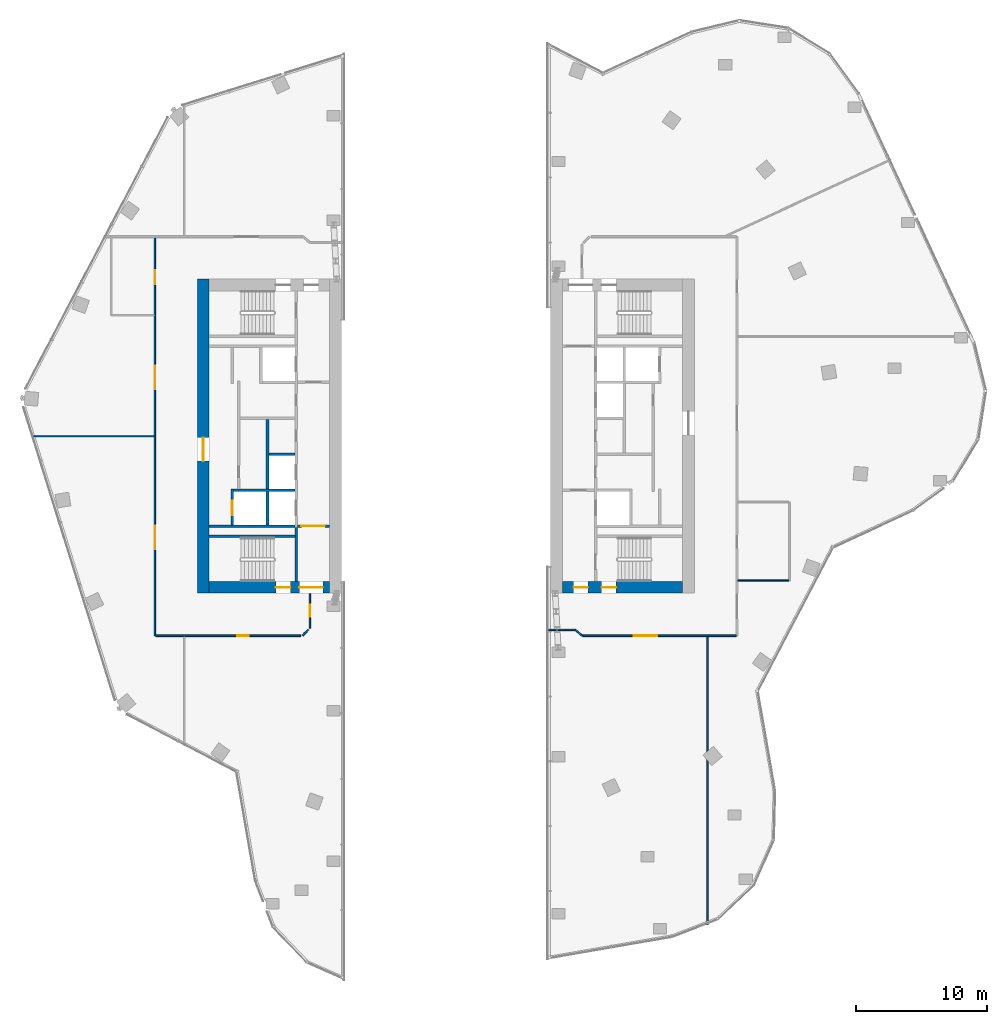
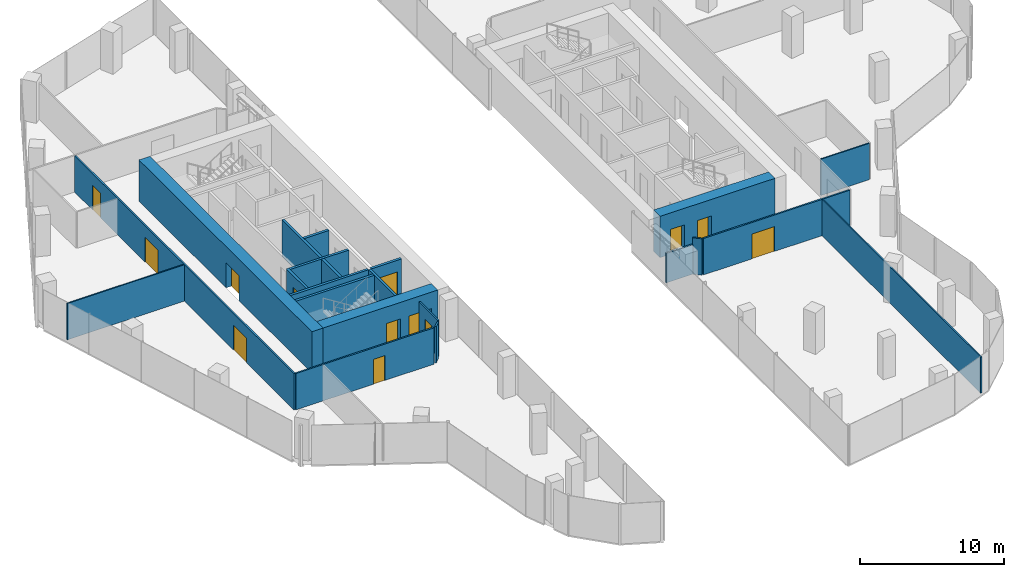
# One storey, part 18 of 23: 22 walls, 13 doors, 13 openings.
"""IFC4 building model written with IfcOpenShell, lengths in metres."""

from ifc_helpers import new_model, si_unit, direction, frame, frame_2d, origin, place, context, subcontext, project, spatial, rectangle, extrude, material, layer, layer_set, type_object, element, fill, save


model = new_model("IFC4")

# Units and contexts
model_context = context("Model", 3, precision=1e-05, world=origin(), true_north=direction((0.0, 1.0)))
body_context = subcontext(model_context, "Body", "Model", "MODEL_VIEW")
ifc_project = project(units=[si_unit("LENGTHUNIT", "METRE"), si_unit("AREAUNIT", "SQUARE_METRE"), si_unit("VOLUMEUNIT", "CUBIC_METRE"), si_unit("PLANEANGLEUNIT", "RADIAN"), si_unit("MASSUNIT", "GRAM", prefix="KILO")], contexts=[model_context])

# Site, building, storey
site_placement = place(None, origin())
site = spatial("IfcSite", under=ifc_project, at=site_placement, CompositionType="ELEMENT")
building_placement = place(site_placement, origin())
building = spatial("IfcBuilding", under=site, at=building_placement, Name="Orlundy Tower", CompositionType="ELEMENT")
storey_placement = place(building_placement, frame((0.0, 0.0, 264.0)))
storey = spatial("IfcBuildingStorey", under=building, at=storey_placement, Name="L70", CompositionType="ELEMENT", Elevation=264.0)

# Wall, openings, doors
ifc_material_1 = material(Name="Concrete C60/75", Category="concrete")
ifc_layer_1 = layer(ifc_material_1, 0.89990234375)
ifc_layer_set_1 = layer_set([ifc_layer_1], Name="CORE WALL 900 C60/75")
wall_type_1 = type_object("IfcWallType", Name="CORE WALL 900 C60/75", PredefinedType="SHEAR", material=ifc_layer_set_1)
wall_1_placement = place(storey_placement, frame((-18.10009765625, -11.550048828125, 0.0), z_axis=(0.0, 0.0, 1.0), x_axis=(1.0, 0.0, 0.0)))
wall_1 = element("IfcWall", 1, at=wall_1_placement, inside=storey, type_object=wall_type_1, Name="Core wall W-S L70", PredefinedType="SHEAR", context=body_context, shape_type="SweptSolid", body=[
    extrude(rectangle(XDim=9.2001953125, YDim=0.89990234375, at=frame_2d((4.60009765625, 0.0))), origin(), (0.0, 0.0, 1.0), 3.5),
])
opening_1_placement = place(wall_1_placement, frame((6.89990234375, 0.0, 0.0)))
opening_1 = element("IfcOpeningElement", 2, at=opening_1_placement, cuts=wall_1, Name="Opening 52012", PredefinedType="OPENING", context=body_context, shape_type="SweptSolid", body=[
    extrude(rectangle(XDim=1.800048828125, YDim=2.10009765625, at=frame_2d((0.89990234375, 1.050048828125))), frame((0.0, 0.4599609375, 0.0), z_axis=(0.0, -1.0, 0.0), x_axis=(1.0, 0.0, 0.0)), (0.0, 0.0, 1.0), 0.919921875),
])
opening_2_placement = place(wall_1_placement, frame((5.10009765625, 0.0, 0.0)))
opening_2 = element("IfcOpeningElement", 3, at=opening_2_placement, cuts=wall_1, Name="Opening 52014", PredefinedType="OPENING", context=body_context, shape_type="SweptSolid", body=[
    extrude(rectangle(XDim=1.10009765625, YDim=2.10009765625, at=frame_2d((0.550048828125, 1.050048828125))), frame((0.0, 0.4599609375, 0.0), z_axis=(0.0, -1.0, 0.0), x_axis=(1.0, 0.0, 0.0)), (0.0, 0.0, 1.0), 0.919921875),
])
ifc_material_2 = material(Name="Timber door set", Category="wood")
door_type_1 = type_object("IfcDoorType", Name="Lobby Door 1800x2100", OperationType="DOUBLE_DOOR_DOUBLE_SWING", PredefinedType="DOOR", material=ifc_material_2)
door_1_placement = place(opening_1_placement, origin())
door_1 = element("IfcDoor", 4, at=door_1_placement, inside=storey, type_object=door_type_1, Name="Passage door 52012", OperationType="SINGLE_SWING_RIGHT", OverallHeight=2.10009765625, OverallWidth=1.800048828125, PredefinedType="DOOR", context=body_context, shape_type="SweptSolid", body=[
    extrude(rectangle(XDim=1.800048828125, YDim=2.10009765625, at=frame_2d((0.89990234375, 1.050048828125))), frame((0.0, 0.02490234375, 0.0), z_axis=(0.0, -1.0, 0.0), x_axis=(1.0, 0.0, 0.0)), (0.0, 0.0, 1.0), 0.050048828125),
])
fill(opening_1, door_1)
ifc_material_3 = material(Name="Steel door set", Category="steel")
door_type_2 = type_object("IfcDoorType", Name="Stair Door 1100x2100", OperationType="SINGLE_SWING_LEFT", PredefinedType="DOOR", material=ifc_material_3)
door_2_placement = place(opening_2_placement, origin())
door_2 = element("IfcDoor", 5, at=door_2_placement, inside=storey, type_object=door_type_2, Name="Stair door 52014", OperationType="SINGLE_SWING_RIGHT", OverallHeight=2.10009765625, OverallWidth=1.10009765625, PredefinedType="DOOR", context=body_context, shape_type="SweptSolid", body=[
    extrude(rectangle(XDim=1.10009765625, YDim=2.10009765625, at=frame_2d((0.550048828125, 1.050048828125))), frame((0.0, 0.02490234375, 0.0), z_axis=(0.0, -1.0, 0.0), x_axis=(1.0, 0.0, 0.0)), (0.0, 0.0, 1.0), 0.050048828125),
])
fill(opening_2, door_2)

# Wall, opening, door
wall_2_placement = place(storey_placement, frame((-18.550048828125, -12.0, 0.0), z_axis=(0.0, 0.0, 1.0), x_axis=(0.0, 1.0, 0.0)))
wall_2 = element("IfcWall", 6, at=wall_2_placement, inside=storey, type_object=wall_type_1, Name="Core wall W-W L70", PredefinedType="SHEAR", context=body_context, shape_type="SweptSolid", body=[
    extrude(rectangle(XDim=24.0, YDim=0.89990234375, at=frame_2d((12.0, 0.0))), origin(), (0.0, 0.0, 1.0), 3.5),
])
opening_3_placement = place(wall_2_placement, frame((10.10009765625, 0.0, 0.0)))
opening_3 = element("IfcOpeningElement", 7, at=opening_3_placement, cuts=wall_2, Name="Opening 52008", PredefinedType="OPENING", context=body_context, shape_type="SweptSolid", body=[
    extrude(rectangle(XDim=1.800048828125, YDim=2.10009765625, at=frame_2d((0.89990234375, 1.050048828125))), frame((0.0, 0.4599609375, 0.0), z_axis=(0.0, -1.0, 0.0), x_axis=(1.0, 0.0, 0.0)), (0.0, 0.0, 1.0), 0.919921875),
])
door_3_placement = place(opening_3_placement, origin())
door_3 = element("IfcDoor", 8, at=door_3_placement, inside=storey, type_object=door_type_1, Name="Lift lobby door 52008", OperationType="SINGLE_SWING_LEFT", OverallHeight=2.10009765625, OverallWidth=1.800048828125, PredefinedType="DOOR", context=body_context, shape_type="SweptSolid", body=[
    extrude(rectangle(XDim=1.800048828125, YDim=2.10009765625, at=frame_2d((0.89990234375, 1.050048828125))), frame((0.0, 0.02490234375, 0.0), z_axis=(0.0, -1.0, 0.0), x_axis=(1.0, 0.0, 0.0)), (0.0, 0.0, 1.0), 0.050048828125),
])
fill(opening_3, door_3)

# Wall, openings, doors
wall_3_placement = place(storey_placement, frame((8.89990234375, -11.550048828125, 0.0), z_axis=(0.0, 0.0, 1.0), x_axis=(1.0, 0.0, 0.0)))
wall_3 = element("IfcWall", 9, at=wall_3_placement, inside=storey, type_object=wall_type_1, Name="Core wall E-S L70", PredefinedType="SHEAR", context=body_context, shape_type="SweptSolid", body=[
    extrude(rectangle(XDim=9.2001953125, YDim=0.89990234375, at=frame_2d((4.60009765625, 0.0))), origin(), (0.0, 0.0, 1.0), 3.5),
])
opening_4_placement = place(wall_3_placement, frame((0.85009765625, 0.0, 0.0)))
opening_4 = element("IfcOpeningElement", 10, at=opening_4_placement, cuts=wall_3, Name="Opening 52058", PredefinedType="OPENING", context=body_context, shape_type="SweptSolid", body=[
    extrude(rectangle(XDim=1.10009765625, YDim=2.10009765625, at=frame_2d((0.550048828125, 1.050048828125))), frame((0.0, 0.4599609375, 0.0), z_axis=(0.0, -1.0, 0.0), x_axis=(1.0, 0.0, 0.0)), (0.0, 0.0, 1.0), 0.919921875),
])
opening_5_placement = place(wall_3_placement, frame((3.0, 0.0, 0.0)))
opening_5 = element("IfcOpeningElement", 11, at=opening_5_placement, cuts=wall_3, Name="Opening 52062", PredefinedType="OPENING", context=body_context, shape_type="SweptSolid", body=[
    extrude(rectangle(XDim=1.10009765625, YDim=2.10009765625, at=frame_2d((0.550048828125, 1.050048828125))), frame((0.0, 0.4599609375, 0.0), z_axis=(0.0, -1.0, 0.0), x_axis=(1.0, 0.0, 0.0)), (0.0, 0.0, 1.0), 0.919921875),
])
ifc_material_4 = material(Name="Steel door set", Category="steel")
door_type_3 = type_object("IfcDoorType", Name="Fire-fighting Lobby Door 1100x2100", OperationType="SINGLE_SWING_LEFT", PredefinedType="DOOR", material=ifc_material_4)
door_4_placement = place(opening_4_placement, origin())
door_4 = element("IfcDoor", 12, at=door_4_placement, inside=storey, type_object=door_type_3, Name="Fire-fighting lobby door 52058", OperationType="SINGLE_SWING_LEFT", OverallHeight=2.10009765625, OverallWidth=1.10009765625, PredefinedType="DOOR", context=body_context, shape_type="SweptSolid", body=[
    extrude(rectangle(XDim=1.10009765625, YDim=2.10009765625, at=frame_2d((0.550048828125, 1.050048828125))), frame((0.0, 0.02490234375, 0.0), z_axis=(0.0, -1.0, 0.0), x_axis=(1.0, 0.0, 0.0)), (0.0, 0.0, 1.0), 0.050048828125),
])
fill(opening_4, door_4)
door_5_placement = place(opening_5_placement, origin())
door_5 = element("IfcDoor", 13, at=door_5_placement, inside=storey, type_object=door_type_2, Name="Stair door 52062", OperationType="SINGLE_SWING_LEFT", OverallHeight=2.10009765625, OverallWidth=1.10009765625, PredefinedType="DOOR", context=body_context, shape_type="SweptSolid", body=[
    extrude(rectangle(XDim=1.10009765625, YDim=2.10009765625, at=frame_2d((0.550048828125, 1.050048828125))), frame((0.0, 0.02490234375, 0.0), z_axis=(0.0, -1.0, 0.0), x_axis=(1.0, 0.0, 0.0)), (0.0, 0.0, 1.0), 0.050048828125),
])
fill(opening_5, door_5)

# Walls
ifc_material_5 = material(Name="Gypsum board partition")
ifc_layer_2 = layer(ifc_material_5, 0.10009765625)
ifc_layer_set_2 = layer_set([ifc_layer_2], Name="Floor partition 100")
wall_type_2 = type_object("IfcWallType", Name="Floor partition 100", PredefinedType="PARTITIONING", material=ifc_layer_set_2)
wall_4_placement = place(storey_placement, frame((22.31396484375, -11.030029296875, 0.0), z_axis=(0.0, 0.0, 1.0), x_axis=(1.0, 0.0, 0.0)))
element("IfcWall", 14, at=wall_4_placement, inside=storey, type_object=wall_type_2, Name="wall-int-L70-004", PredefinedType="PARTITIONING", context=body_context, shape_type="SweptSolid", body=[
    extrude(rectangle(XDim=3.885009765625, YDim=0.10009765625, at=frame_2d((1.9423828125, 0.0))), origin(), (0.0, 0.0, 1.0), 3.080078125),
])
wall_5_placement = place(storey_placement, frame((-31.68994140625, 0.0, 0.0), z_axis=(0.0, 0.0, 1.0), x_axis=(1.0, 0.0, 0.0)))
element("IfcWall", 15, at=wall_5_placement, inside=storey, type_object=wall_type_2, Name="wall-int-L70-006", PredefinedType="PARTITIONING", context=body_context, shape_type="SweptSolid", body=[
    extrude(rectangle(XDim=9.3779296875, YDim=0.10009765625, at=frame_2d((4.68896484375, 0.0))), origin(), (0.0, 0.0, 1.0), 3.080078125),
])
wall_6_placement = place(storey_placement, frame((20.0, -37.323974609375, 0.0), z_axis=(0.0, 0.0, 1.0), x_axis=(0.0, 1.0, 0.0)))
element("IfcWall", 16, at=wall_6_placement, inside=storey, type_object=wall_type_2, Name="wall-int-L70-017", PredefinedType="PARTITIONING", context=body_context, shape_type="SweptSolid", body=[
    extrude(rectangle(XDim=22.011962890625, YDim=0.10009765625, at=frame_2d((11.005859375, 0.0))), origin(), (0.0, 0.0, 1.0), 3.080078125),
])

# Wall, opening, door
ifc_material_6 = material(Name="Gypsum board partition, double layer")
ifc_layer_3 = layer(ifc_material_6, 0.125)
ifc_layer_set_3 = layer_set([ifc_layer_3], Name="Floor partition 125")
wall_type_3 = type_object("IfcWallType", Name="Floor partition 125", PredefinedType="PARTITIONING", material=ifc_layer_set_3)
wall_7_placement = place(storey_placement, frame((-11.10595703125, -15.25, 0.0), z_axis=(0.0, 0.0, 1.0), x_axis=(-1.0, 0.0, 0.0)))
wall_7 = element("IfcWall", 17, at=wall_7_placement, inside=storey, type_object=wall_type_3, Name="wall-int-L70-001", PredefinedType="PARTITIONING", context=body_context, shape_type="SweptSolid", body=[
    extrude(rectangle(XDim=11.08203125, YDim=0.125, at=frame_2d((5.541015625, 0.0))), origin(), (0.0, 0.0, 1.0), 3.080078125),
])
opening_6_placement = place(wall_7_placement, frame((3.951904296875, 0.0, 0.0)))
opening_6 = element("IfcOpeningElement", 18, at=opening_6_placement, cuts=wall_7, Name="Opening 52101", PredefinedType="OPENING", context=body_context, shape_type="SweptSolid", body=[
    extrude(rectangle(XDim=0.89990234375, YDim=2.10009765625, at=frame_2d((0.449951171875, 1.050048828125))), frame((0.0, 0.072509765625, 0.0), z_axis=(0.0, -1.0, 0.0), x_axis=(1.0, 0.0, 0.0)), (0.0, 0.0, 1.0), 0.14501953125),
])
ifc_material_7 = material(Name="Timber door leaf", Category="wood")
door_type_4 = type_object("IfcDoorType", Name="Floor door single 900 FD30S", OperationType="NOTDEFINED", PredefinedType="DOOR", material=ifc_material_7)
door_6_placement = place(opening_6_placement, origin())
door_6 = element("IfcDoor", 19, at=door_6_placement, inside=storey, type_object=door_type_4, Name="Door 52101", OperationType="SINGLE_SWING_LEFT", OverallHeight=2.10009765625, OverallWidth=0.89990234375, PredefinedType="DOOR", context=body_context, shape_type="SweptSolid", body=[
    extrude(rectangle(XDim=0.89990234375, YDim=2.10009765625, at=frame_2d((0.449951171875, 1.050048828125))), frame((0.0, 0.02490234375, 0.0), z_axis=(0.0, -1.0, 0.0), x_axis=(1.0, 0.0, 0.0)), (0.0, 0.0, 1.0), 0.050048828125),
])
fill(opening_6, door_6)

wall_8_placement = place(storey_placement, frame((22.18896484375, -15.25, 0.0), z_axis=(0.0, 0.0, 1.0), x_axis=(-1.0, 0.0, 0.0)))
wall_8 = element("IfcWall", 20, at=wall_8_placement, inside=storey, type_object=wall_type_3, Name="wall-int-L70-002", PredefinedType="PARTITIONING", context=body_context, shape_type="SweptSolid", body=[
    extrude(rectangle(XDim=11.72607421875, YDim=0.125, at=frame_2d((5.863037109375, 0.0))), origin(), (0.0, 0.0, 1.0), 3.080078125),
])
opening_7_placement = place(wall_8_placement, frame((6.03857421875, 0.0, 0.0)))
opening_7 = element("IfcOpeningElement", 21, at=opening_7_placement, cuts=wall_8, Name="Opening 52103", PredefinedType="OPENING", context=body_context, shape_type="SweptSolid", body=[
    extrude(rectangle(XDim=1.800048828125, YDim=2.10009765625, at=frame_2d((0.89990234375, 1.050048828125))), frame((0.0, 0.072509765625, 0.0), z_axis=(0.0, -1.0, 0.0), x_axis=(1.0, 0.0, 0.0)), (0.0, 0.0, 1.0), 0.14501953125),
])
ifc_material_8 = material(Name="Timber door leaf", Category="wood")
door_type_5 = type_object("IfcDoorType", Name="Floor door double 1800 FD30S", OperationType="NOTDEFINED", PredefinedType="DOOR", material=ifc_material_8)
door_7_placement = place(opening_7_placement, origin())
door_7 = element("IfcDoor", 22, at=door_7_placement, inside=storey, type_object=door_type_5, Name="Door 52103", OperationType="DOUBLE_DOOR_SINGLE_SWING", OverallHeight=2.10009765625, OverallWidth=1.800048828125, PredefinedType="DOOR", context=body_context, shape_type="SweptSolid", body=[
    extrude(rectangle(XDim=1.800048828125, YDim=2.10009765625, at=frame_2d((0.89990234375, 1.050048828125))), frame((0.0, 0.02490234375, 0.0), z_axis=(0.0, -1.0, 0.0), x_axis=(1.0, 0.0, 0.0)), (0.0, 0.0, 1.0), 0.050048828125),
])
fill(opening_7, door_7)

# Walls
wall_9_placement = place(storey_placement, frame((-10.949951171875, -15.22900390625, 0.0), z_axis=(0.0, 0.0, 1.0), x_axis=(0.698110320765, 0.715990209459, 0.0)))
element("IfcWall", 23, at=wall_9_placement, inside=storey, type_object=wall_type_3, Name="wall-int-L70-013", PredefinedType="PARTITIONING", context=body_context, shape_type="SweptSolid", body=[
    extrude(rectangle(XDim=0.614501953125, YDim=0.125, at=frame_2d((0.30712890625, 0.0))), origin(), (0.0, 0.0, 1.0), 3.080078125),
])
wall_10_placement = place(storey_placement, frame((10.39990234375, -15.25, 0.0), z_axis=(0.0, 0.0, 1.0), x_axis=(-0.751218826875, 0.660053235845, 0.0)))
element("IfcWall", 24, at=wall_10_placement, inside=storey, type_object=wall_type_3, Name="wall-int-L70-018", PredefinedType="PARTITIONING", context=body_context, shape_type="SweptSolid", body=[
    extrude(rectangle(XDim=0.68017578125, YDim=0.125, at=frame_2d((0.340087890625, 0.0))), origin(), (0.0, 0.0, 1.0), 3.080078125),
])

# Wall, opening, door
wall_11_placement = place(storey_placement, frame((-10.39892578125, -12.050048828125, 0.0), z_axis=(0.0, 0.0, 1.0), x_axis=(0.0, -1.0, 0.0)))
wall_11 = element("IfcWall", 25, at=wall_11_placement, inside=storey, type_object=wall_type_3, Name="wall-int-L70-020", PredefinedType="PARTITIONING", context=body_context, shape_type="SweptSolid", body=[
    extrude(rectangle(XDim=2.620849609375, YDim=0.125, at=frame_2d((1.310546875, 0.0))), origin(), (0.0, 0.0, 1.0), 3.080078125),
])
opening_8_placement = place(wall_11_placement, frame((0.85009765625, 0.0, 0.0)))
opening_8 = element("IfcOpeningElement", 26, at=opening_8_placement, cuts=wall_11, Name="Opening 52102", PredefinedType="OPENING", context=body_context, shape_type="SweptSolid", body=[
    extrude(rectangle(XDim=0.89990234375, YDim=2.10009765625, at=frame_2d((0.449951171875, 1.050048828125))), frame((0.0, 0.072509765625, 0.0), z_axis=(0.0, -1.0, 0.0), x_axis=(1.0, 0.0, 0.0)), (0.0, 0.0, 1.0), 0.14501953125),
])
door_8_placement = place(opening_8_placement, origin())
door_8 = element("IfcDoor", 27, at=door_8_placement, inside=storey, type_object=door_type_4, Name="Door 52102", OperationType="SINGLE_SWING_LEFT", OverallHeight=2.10009765625, OverallWidth=0.89990234375, PredefinedType="DOOR", context=body_context, shape_type="SweptSolid", body=[
    extrude(rectangle(XDim=0.89990234375, YDim=2.10009765625, at=frame_2d((0.449951171875, 1.050048828125))), frame((0.0, 0.02490234375, 0.0), z_axis=(0.0, -1.0, 0.0), x_axis=(1.0, 0.0, 0.0)), (0.0, 0.0, 1.0), 0.050048828125),
])
fill(opening_8, door_8)

# Wall, openings, doors
wall_12_placement = place(storey_placement, frame((-22.25, -15.25, 0.0), z_axis=(0.0, 0.0, 1.0), x_axis=(0.0, 1.0, 0.0)))
wall_12 = element("IfcWall", 28, at=wall_12_placement, inside=storey, type_object=wall_type_3, Name="wall-int-L70-024", PredefinedType="PARTITIONING", context=body_context, shape_type="SweptSolid", body=[
    extrude(rectangle(XDim=30.43701171875, YDim=0.125, at=frame_2d((15.218505859375, 0.0))), origin(), (0.0, 0.0, 1.0), 3.080078125),
])
opening_9_placement = place(wall_12_placement, frame((6.60009765625, 0.0, 0.0)))
opening_9 = element("IfcOpeningElement", 29, at=opening_9_placement, cuts=wall_12, Name="Opening 52100", PredefinedType="OPENING", context=body_context, shape_type="SweptSolid", body=[
    extrude(rectangle(XDim=1.800048828125, YDim=2.10009765625, at=frame_2d((0.89990234375, 1.050048828125))), frame((0.0, 0.072509765625, 0.0), z_axis=(0.0, -1.0, 0.0), x_axis=(1.0, 0.0, 0.0)), (0.0, 0.0, 1.0), 0.14501953125),
])
opening_10_placement = place(wall_12_placement, frame((18.85009765625, 0.0, 0.0)))
opening_10 = element("IfcOpeningElement", 30, at=opening_10_placement, cuts=wall_12, Name="Opening 52109", PredefinedType="OPENING", context=body_context, shape_type="SweptSolid", body=[
    extrude(rectangle(XDim=1.800048828125, YDim=2.10009765625, at=frame_2d((0.89990234375, 1.050048828125))), frame((0.0, 0.072509765625, 0.0), z_axis=(0.0, -1.0, 0.0), x_axis=(1.0, 0.0, 0.0)), (0.0, 0.0, 1.0), 0.14501953125),
])
opening_11_placement = place(wall_12_placement, frame((26.84912109375, 0.0, 0.0)))
opening_11 = element("IfcOpeningElement", 31, at=opening_11_placement, cuts=wall_12, Name="Opening 52111", PredefinedType="OPENING", context=body_context, shape_type="SweptSolid", body=[
    extrude(rectangle(XDim=1.10009765625, YDim=2.10009765625, at=frame_2d((0.550048828125, 1.050048828125))), frame((0.0, 0.072509765625, 0.0), z_axis=(0.0, -1.0, 0.0), x_axis=(1.0, 0.0, 0.0)), (0.0, 0.0, 1.0), 0.14501953125),
])
door_9_placement = place(opening_9_placement, origin())
door_9 = element("IfcDoor", 32, at=door_9_placement, inside=storey, type_object=door_type_5, Name="Door 52100", OperationType="DOUBLE_DOOR_SINGLE_SWING", OverallHeight=2.10009765625, OverallWidth=1.800048828125, PredefinedType="DOOR", context=body_context, shape_type="SweptSolid", body=[
    extrude(rectangle(XDim=1.800048828125, YDim=2.10009765625, at=frame_2d((0.89990234375, 1.050048828125))), frame((0.0, 0.02490234375, 0.0), z_axis=(0.0, -1.0, 0.0), x_axis=(1.0, 0.0, 0.0)), (0.0, 0.0, 1.0), 0.050048828125),
])
fill(opening_9, door_9)
door_10_placement = place(opening_10_placement, origin())
door_10 = element("IfcDoor", 33, at=door_10_placement, inside=storey, type_object=door_type_5, Name="Door 52109", OperationType="DOUBLE_DOOR_SINGLE_SWING", OverallHeight=2.10009765625, OverallWidth=1.800048828125, PredefinedType="DOOR", context=body_context, shape_type="SweptSolid", body=[
    extrude(rectangle(XDim=1.800048828125, YDim=2.10009765625, at=frame_2d((0.89990234375, 1.050048828125))), frame((0.0, 0.02490234375, 0.0), z_axis=(0.0, -1.0, 0.0), x_axis=(1.0, 0.0, 0.0)), (0.0, 0.0, 1.0), 0.050048828125),
])
fill(opening_10, door_10)
ifc_material_9 = material(Name="Timber door leaf", Category="wood")
door_type_6 = type_object("IfcDoorType", Name="Floor door xwide 1100 FD30S", OperationType="NOTDEFINED", PredefinedType="DOOR", material=ifc_material_9)
door_11_placement = place(opening_11_placement, origin())
door_11 = element("IfcDoor", 34, at=door_11_placement, inside=storey, type_object=door_type_6, Name="Door 52111", OperationType="SINGLE_SWING_RIGHT", OverallHeight=2.10009765625, OverallWidth=1.10009765625, PredefinedType="DOOR", context=body_context, shape_type="SweptSolid", body=[
    extrude(rectangle(XDim=1.10009765625, YDim=2.10009765625, at=frame_2d((0.550048828125, 1.050048828125))), frame((0.0, 0.02490234375, 0.0), z_axis=(0.0, -1.0, 0.0), x_axis=(1.0, 0.0, 0.0)), (0.0, 0.0, 1.0), 0.050048828125),
])
fill(opening_11, door_11)

# Walls
ifc_material_10 = material(Name="Gypsum board partition, double layer")
ifc_layer_4 = layer(ifc_material_10, 0.125)
ifc_layer_set_4 = layer_set([ifc_layer_4], Name="Floor partition 125 B")
wall_type_4 = type_object("IfcWallType", Name="Floor partition 125 B", PredefinedType="PARTITIONING", material=ifc_layer_set_4)
wall_13_placement = place(storey_placement, frame((7.75, -14.801025390625, 0.0), z_axis=(0.0, 0.0, 1.0), x_axis=(1.0, 0.0, 0.0)))
element("IfcWall", 35, at=wall_13_placement, inside=storey, type_object=wall_type_4, Name="wall-int-L70-003", PredefinedType="PARTITIONING", context=body_context, shape_type="SweptSolid", body=[
    extrude(rectangle(XDim=2.138916015625, YDim=0.125, at=frame_2d((1.0693359375, 0.0))), origin(), (0.0, 0.0, 1.0), 2.496337890625),
])
ifc_material_11 = material(Name="Concrete C40/50", Category="concrete")
ifc_layer_5 = layer(ifc_material_11, 0.199951171875)
ifc_layer_set_5 = layer_set([ifc_layer_5], Name="Load-bearing Shaft Wall 200")
wall_type_5 = type_object("IfcWallType", Name="Load-bearing Shaft Wall 200", PredefinedType="SOLIDWALL", material=ifc_layer_set_5)
wall_14_placement = place(storey_placement, frame((-11.43994140625, -11.10009765625, 0.0), z_axis=(0.0, 0.0, 1.0), x_axis=(0.0, 1.0, 0.0)))
element("IfcWall", 36, at=wall_14_placement, inside=storey, type_object=wall_type_5, Name="Shaft wall W52-stair-end-s", PredefinedType="SOLIDWALL", context=body_context, shape_type="SweptSolid", body=[
    extrude(rectangle(XDim=4.125, YDim=0.199951171875, at=frame_2d((2.0625, 0.0))), origin(), (0.0, 0.0, 1.0), 3.090087890625),
])
wall_15_placement = place(storey_placement, frame((-11.5400390625, -7.64990234375, 0.0), z_axis=(0.0, 0.0, 1.0), x_axis=(-1.0, 0.0, 0.0)))
element("IfcWall", 37, at=wall_15_placement, inside=storey, type_object=wall_type_5, Name="Shaft wall W52-stair-side-s", PredefinedType="SOLIDWALL", context=body_context, shape_type="SweptSolid", body=[
    extrude(rectangle(XDim=6.56005859375, YDim=0.199951171875, at=frame_2d((3.280029296875, 0.0))), origin(), (0.0, 0.0, 1.0), 3.090087890625),
])

# Wall, opening, door
ifc_material_12 = material(Name="Gypsum board partition on steel studs", Category="steel")
ifc_layer_6 = layer(ifc_material_12, 0.199951171875)
ifc_layer_set_6 = layer_set([ifc_layer_6], Name="Partition 200")
wall_type_6 = type_object("IfcWallType", Name="Partition 200", PredefinedType="PARTITIONING", material=ifc_layer_set_6)
wall_16_placement = place(storey_placement, frame((-8.89990234375, -6.875, 0.0), z_axis=(0.0, 0.0, 1.0), x_axis=(-1.0, 0.0, 0.0)))
wall_16 = element("IfcWall", 38, at=wall_16_placement, inside=storey, type_object=wall_type_6, Name="Partition wall W52-end-s", PredefinedType="PARTITIONING", context=body_context, shape_type="SweptSolid", body=[
    extrude(rectangle(XDim=2.440185546875, YDim=0.199951171875, at=frame_2d((1.22021484375, 0.0))), origin(), (0.0, 0.0, 1.0), 3.090087890625),
])
opening_12_placement = place(wall_16_placement, frame((0.35009765625, 0.0, 0.0)))
opening_12 = element("IfcOpeningElement", 39, at=opening_12_placement, cuts=wall_16, Name="Opening 52011", PredefinedType="OPENING", context=body_context, shape_type="SweptSolid", body=[
    extrude(rectangle(XDim=1.800048828125, YDim=2.10009765625, at=frame_2d((0.89990234375, 1.050048828125))), frame((0.0, 0.110107421875, 0.0), z_axis=(0.0, -1.0, 0.0), x_axis=(1.0, 0.0, 0.0)), (0.0, 0.0, 1.0), 0.22021484375),
])
door_12_placement = place(opening_12_placement, origin())
door_12 = element("IfcDoor", 40, at=door_12_placement, inside=storey, type_object=door_type_1, Name="Lift lobby to passage door 52011", OperationType="DOUBLE_DOOR_DOUBLE_SWING", OverallHeight=2.10009765625, OverallWidth=1.800048828125, PredefinedType="DOOR", context=body_context, shape_type="SweptSolid", body=[
    extrude(rectangle(XDim=1.800048828125, YDim=2.10009765625, at=frame_2d((0.89990234375, 1.050048828125))), frame((0.0, 0.02490234375, 0.0), z_axis=(0.0, -1.0, 0.0), x_axis=(1.0, 0.0, 0.0)), (0.0, 0.0, 1.0), 0.050048828125),
])
fill(opening_12, door_12)

# Walls
ifc_material_13 = material(Name="Fire-rated blockwork shaft wall", Category="masonry")
ifc_layer_7 = layer(ifc_material_13, 0.199951171875)
ifc_layer_set_7 = layer_set([ifc_layer_7], Name="Shaft Wall 200")
wall_type_7 = type_object("IfcWallType", Name="Shaft Wall 200", PredefinedType="SOLIDWALL", material=ifc_layer_set_7)
wall_17_placement = place(storey_placement, frame((-11.5400390625, -6.875, 0.0), z_axis=(0.0, 0.0, 1.0), x_axis=(-1.0, 0.0, 0.0)))
element("IfcWall", 41, at=wall_17_placement, inside=storey, type_object=wall_type_7, Name="Shaft wall W52-zone-s", PredefinedType="SOLIDWALL", context=body_context, shape_type="SweptSolid", body=[
    extrude(rectangle(XDim=6.56005859375, YDim=0.199951171875, at=frame_2d((3.280029296875, 0.0))), origin(), (0.0, 0.0, 1.0), 3.090087890625),
])
wall_18_placement = place(storey_placement, frame((-11.5400390625, -4.125, 0.0), z_axis=(0.0, 0.0, 1.0), x_axis=(-1.0, 0.0, 0.0)))
element("IfcWall", 42, at=wall_18_placement, inside=storey, type_object=wall_type_7, Name="Shaft wall W52-cross-4.125", PredefinedType="SOLIDWALL", context=body_context, shape_type="SweptSolid", body=[
    extrude(rectangle(XDim=4.699951171875, YDim=0.199951171875, at=frame_2d((2.35009765625, 0.0))), origin(), (0.0, 0.0, 1.0), 3.090087890625),
])
wall_19_placement = place(storey_placement, frame((-11.5400390625, -1.375, 0.0), z_axis=(0.0, 0.0, 1.0), x_axis=(-1.0, 0.0, 0.0)))
element("IfcWall", 43, at=wall_19_placement, inside=storey, type_object=wall_type_7, Name="Shaft wall W52-cross-1.375", PredefinedType="SOLIDWALL", context=body_context, shape_type="SweptSolid", body=[
    extrude(rectangle(XDim=2.0, YDim=0.199951171875, at=frame_2d((1.0, 0.0))), origin(), (0.0, 0.0, 1.0), 3.090087890625),
])
wall_20_placement = place(storey_placement, frame((-13.639892578125, -6.77490234375, 0.0), z_axis=(0.0, 0.0, 1.0), x_axis=(0.0, 1.0, 0.0)))
element("IfcWall", 44, at=wall_20_placement, inside=storey, type_object=wall_type_7, Name="Shaft wall W52-mid-a", PredefinedType="SOLIDWALL", context=body_context, shape_type="SweptSolid", body=[
    extrude(rectangle(XDim=2.5498046875, YDim=0.199951171875, at=frame_2d((1.27490234375, 0.0))), origin(), (0.0, 0.0, 1.0), 3.090087890625),
])
wall_21_placement = place(storey_placement, frame((-13.639892578125, -4.02490234375, 0.0), z_axis=(0.0, 0.0, 1.0), x_axis=(0.0, 1.0, 0.0)))
element("IfcWall", 45, at=wall_21_placement, inside=storey, type_object=wall_type_7, Name="Shaft wall W52-mid-a.1", PredefinedType="SOLIDWALL", context=body_context, shape_type="SweptSolid", body=[
    extrude(rectangle(XDim=5.2998046875, YDim=0.199951171875, at=frame_2d((2.64990234375, 0.0))), origin(), (0.0, 0.0, 1.0), 3.090087890625),
])

# Wall, opening, door
wall_22_placement = place(storey_placement, frame((-16.340087890625, -6.77490234375, 0.0), z_axis=(0.0, 0.0, 1.0), x_axis=(0.0, 1.0, 0.0)))
wall_22 = element("IfcWall", 46, at=wall_22_placement, inside=storey, type_object=wall_type_7, Name="Shaft wall W52-front-o-a", PredefinedType="SOLIDWALL", context=body_context, shape_type="SweptSolid", body=[
    extrude(rectangle(XDim=2.75, YDim=0.199951171875, at=frame_2d((1.375, 0.0))), origin(), (0.0, 0.0, 1.0), 3.090087890625),
])
opening_13_placement = place(wall_22_placement, frame((0.72509765625, 0.0, 0.0)))
opening_13 = element("IfcOpeningElement", 47, at=opening_13_placement, cuts=wall_22, Name="Opening 52002", PredefinedType="OPENING", context=body_context, shape_type="SweptSolid", body=[
    extrude(rectangle(XDim=1.10009765625, YDim=2.10009765625, at=frame_2d((0.550048828125, 1.050048828125))), frame((0.0, 0.110107421875, 0.0), z_axis=(0.0, -1.0, 0.0), x_axis=(1.0, 0.0, 0.0)), (0.0, 0.0, 1.0), 0.22021484375),
])
ifc_material_14 = material(Name="Steel door set", Category="steel")
door_type_7 = type_object("IfcDoorType", Name="Landing Door 1100x2100", OperationType="DOUBLE_DOOR_SLIDING", PredefinedType="DOOR", material=ifc_material_14)
door_13_placement = place(opening_13_placement, origin())
door_13 = element("IfcDoor", 48, at=door_13_placement, inside=storey, type_object=door_type_7, Name="Lift landing door LV-01 52002", OperationType="DOUBLE_DOOR_SLIDING", OverallHeight=2.10009765625, OverallWidth=1.10009765625, PredefinedType="DOOR", context=body_context, shape_type="SweptSolid", body=[
    extrude(rectangle(XDim=1.10009765625, YDim=2.10009765625, at=frame_2d((0.550048828125, 1.050048828125))), frame((0.0, 0.02490234375, 0.0), z_axis=(0.0, -1.0, 0.0), x_axis=(1.0, 0.0, 0.0)), (0.0, 0.0, 1.0), 0.050048828125),
])
fill(opening_13, door_13)

save(model, "model.ifc")
